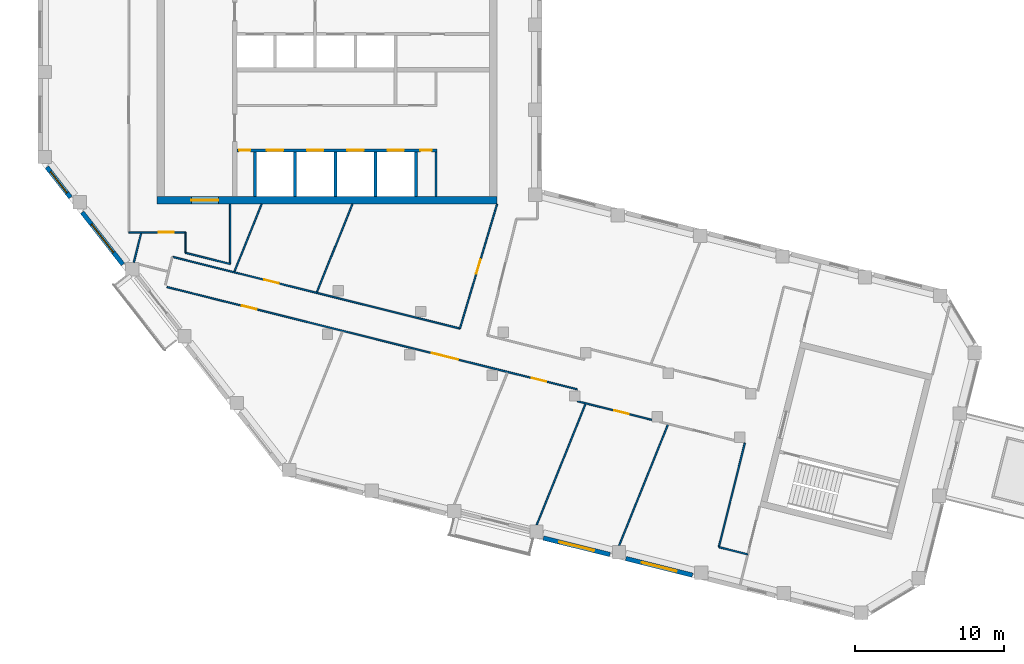
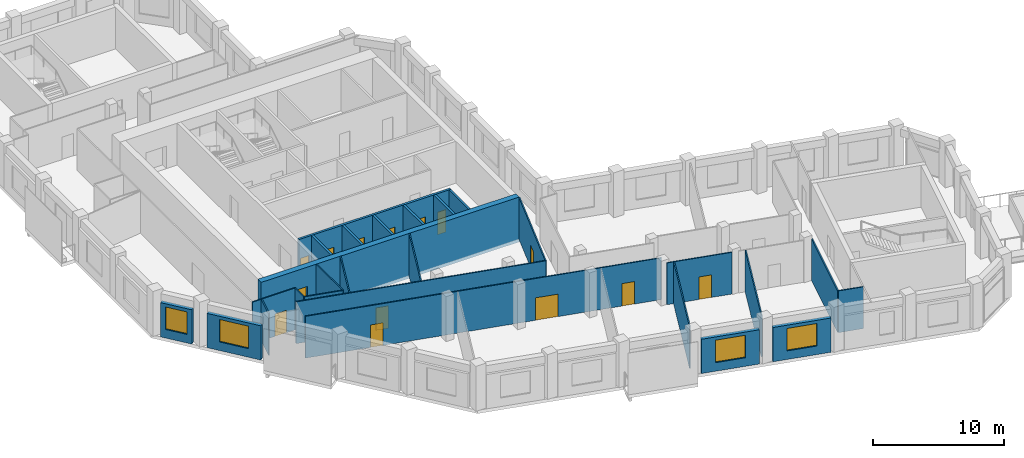
# One storey, part 7 of 13: 27 walls, 14 doors, 4 windows, 18 openings.
"""IFC4 building model written with IfcOpenShell, lengths in metres."""

from ifc_helpers import new_model, si_unit, direction, frame, frame_2d, origin, place, context, subcontext, project, spatial, rectangle, extrude, material, layer, layer_set, type_object, element, fill, save


model = new_model("IFC4")

# Units and contexts
model_context = context("Model", 3, precision=1e-05, world=origin(), true_north=direction((0.0, 1.0)))
body_context = subcontext(model_context, "Body", "Model", "MODEL_VIEW")
ifc_project = project(units=[si_unit("LENGTHUNIT", "METRE"), si_unit("AREAUNIT", "SQUARE_METRE"), si_unit("VOLUMEUNIT", "CUBIC_METRE"), si_unit("PLANEANGLEUNIT", "RADIAN"), si_unit("MASSUNIT", "GRAM", prefix="KILO")], contexts=[model_context])

# Site, building, storey
site_placement = place(None, origin())
site = spatial("IfcSite", under=ifc_project, at=site_placement, CompositionType="ELEMENT")
building_placement = place(site_placement, origin())
building = spatial("IfcBuilding", under=site, at=building_placement, Name="Meshkara Civic Tower", CompositionType="ELEMENT")
storey_placement = place(building_placement, frame((0.0, 0.0, 383.39990234375)))
storey = spatial("IfcBuildingStorey", under=building, at=storey_placement, Name="L88", CompositionType="ELEMENT", Elevation=383.39990234375)

# Wall
ifc_material_1 = material(Name="Blockwork", Category="masonry")
ifc_layer_1 = layer(ifc_material_1, 0.14990234375)
ifc_layer_set_1 = layer_set([ifc_layer_1], Name="Core partition 150")
wall_type_1 = type_object("IfcWallType", Name="Core partition 150", PredefinedType="PARTITIONING", material=ifc_layer_set_1)
wall_1_placement = place(storey_placement, frame((26.699951171875, 14.60009765625, 0.0), z_axis=(0.0, 0.0, 1.0), x_axis=(0.0, 1.0, 0.0)))
element("IfcWall", 1, at=wall_1_placement, inside=storey, type_object=wall_type_1, Name="L88-C024", PredefinedType="PARTITIONING", context=body_context, shape_type="SweptSolid", body=[
    extrude(rectangle(XDim=3.0, YDim=0.14990234375, at=frame_2d((1.5, 0.0))), origin(), (0.0, 0.0, 1.0), 3.900146484375),
])

# Wall, opening, door
ifc_material_2 = material(Name="Concrete C50", Category="concrete")
ifc_layer_2 = layer(ifc_material_2, 0.5)
ifc_layer_set_2 = layer_set([ifc_layer_2], Name="Core ring wall 500 C50")
wall_type_2 = type_object("IfcWallType", Name="Core ring wall 500 C50", PredefinedType="SHEAR", material=ifc_layer_set_2)
wall_2_placement = place(storey_placement, frame((8.0, 14.35009765625, -0.2998046875), z_axis=(0.0, 0.0, 1.0), x_axis=(1.0, 0.0, 0.0)))
wall_2 = element("IfcWall", 2, at=wall_2_placement, inside=storey, type_object=wall_type_2, Name="L88-C001", PredefinedType="SHEAR", context=body_context, shape_type="SweptSolid", body=[
    extrude(rectangle(XDim=22.800048828125, YDim=0.5, at=frame_2d((11.39990234375, 0.0))), origin(), (0.0, 0.0, 1.0), 4.199951171875),
])
opening_1_placement = place(wall_2_placement, frame((2.300048828125, 0.0, 0.300048828125)))
opening_1 = element("IfcOpeningElement", 3, at=opening_1_placement, cuts=wall_2, Name="Opening L88-K023", PredefinedType="OPENING", context=body_context, shape_type="SweptSolid", body=[
    extrude(rectangle(XDim=1.800048828125, YDim=2.10009765625, at=frame_2d((0.89990234375, 1.050048828125))), frame((0.0, 0.260009765625, 0.0), z_axis=(0.0, -1.0, 0.0), x_axis=(1.0, 0.0, 0.0)), (0.0, 0.0, 1.0), 0.52001953125),
])
ifc_material_3 = material(Name="Fire-rated door leaf in steel frame", Category="steel")
door_type_1 = type_object("IfcDoorType", Name="Core double door 1800 EI 60", OperationType="DOUBLE_DOOR_SINGLE_SWING", PredefinedType="DOOR", material=ifc_material_3)
door_1_placement = place(opening_1_placement, origin())
door_1 = element("IfcDoor", 4, at=door_1_placement, inside=storey, type_object=door_type_1, Name="L88-K023", OperationType="DOUBLE_DOOR_SINGLE_SWING", OverallHeight=2.10009765625, OverallWidth=1.800048828125, PredefinedType="DOOR", context=body_context, shape_type="SweptSolid", body=[
    extrude(rectangle(XDim=1.800048828125, YDim=2.10009765625, at=frame_2d((0.89990234375, 1.050048828125))), frame((0.0, 0.02490234375, 0.0), z_axis=(0.0, -1.0, 0.0), x_axis=(1.0, 0.0, 0.0)), (0.0, 0.0, 1.0), 0.050048828125),
])
fill(opening_1, door_1)

ifc_material_4 = material(Name="Corridor wall 100")
ifc_layer_3 = layer(ifc_material_4, 0.10009765625)
ifc_layer_set_3 = layer_set([ifc_layer_3], Name="Corridor wall 100")
wall_type_3 = type_object("IfcWallType", Name="Corridor wall 100", PredefinedType="PARTITIONING", material=ifc_layer_set_3)
wall_3_placement = place(storey_placement, frame((6.10009765625, 12.199951171875, 0.0), z_axis=(0.0, 0.0, 1.0), x_axis=(1.0, 0.0, 0.0)))
wall_3 = element("IfcWall", 5, at=wall_3_placement, inside=storey, type_object=wall_type_3, Name="L88-W004", PredefinedType="PARTITIONING", context=body_context, shape_type="SweptSolid", body=[
    extrude(rectangle(XDim=3.7998046875, YDim=0.10009765625, at=frame_2d((1.89990234375, 0.0))), origin(), (0.0, 0.0, 1.0), 3.900146484375),
])
opening_2_placement = place(wall_3_placement, frame((2.001953125, 0.0, 0.0)))
opening_2 = element("IfcOpeningElement", 6, at=opening_2_placement, cuts=wall_3, Name="Opening L88-D012", PredefinedType="OPENING", context=body_context, shape_type="SweptSolid", body=[
    extrude(rectangle(XDim=1.0, YDim=2.10009765625, at=frame_2d((0.5, 1.050048828125))), frame((0.0, 0.06005859375, 0.0), z_axis=(0.0, -1.0, 0.0), x_axis=(1.0, 0.0, 0.0)), (0.0, 0.0, 1.0), 0.1201171875),
])
ifc_material_5 = material(Name="Door 1000 x 2100")
door_type_2 = type_object("IfcDoorType", Name="Door 1000 x 2100", OperationType="SINGLE_SWING_LEFT", PredefinedType="DOOR", material=ifc_material_5)
door_2_placement = place(opening_2_placement, origin())
door_2 = element("IfcDoor", 7, at=door_2_placement, inside=storey, type_object=door_type_2, Name="L88-D012", OperationType="SINGLE_SWING_LEFT", OverallHeight=2.10009765625, OverallWidth=1.0, PredefinedType="DOOR", context=body_context, shape_type="SweptSolid", body=[
    extrude(rectangle(XDim=1.0, YDim=2.10009765625, at=frame_2d((0.5, 1.050048828125))), frame((0.0, 0.02490234375, 0.0), z_axis=(0.0, -1.0, 0.0), x_axis=(1.0, 0.0, 0.0)), (0.0, 0.0, 1.0), 0.050048828125),
])
fill(opening_2, door_2)

# Wall, openings, doors
wall_4_placement = place(storey_placement, frame((8.659912109375, 8.531982421875, 0.0), z_axis=(0.0, 0.0, 1.0), x_axis=(0.970305360263, -0.241883252509, 0.0)))
wall_4 = element("IfcWall", 8, at=wall_4_placement, inside=storey, type_object=wall_type_3, Name="L88-W007", PredefinedType="PARTITIONING", context=body_context, shape_type="SweptSolid", body=[
    extrude(rectangle(XDim=28.356201171875, YDim=0.10009765625, at=frame_2d((14.17822265625, 0.0))), origin(), (0.0, 0.0, 1.0), 3.900146484375),
])
opening_3_placement = place(wall_4_placement, frame((18.321044921875, 0.0, 0.0)))
opening_3 = element("IfcOpeningElement", 9, at=opening_3_placement, cuts=wall_4, Name="Opening L88-D003", PredefinedType="OPENING", context=body_context, shape_type="SweptSolid", body=[
    extrude(rectangle(XDim=1.800048828125, YDim=2.10009765625, at=frame_2d((0.89990234375, 1.050048828125))), frame((0.0, 0.06005859375, 0.0), z_axis=(0.0, -1.0, 0.0), x_axis=(1.0, 0.0, 0.0)), (0.0, 0.0, 1.0), 0.1201171875),
])
opening_4_placement = place(wall_4_placement, frame((25.219970703125, 0.0, 0.0)))
opening_4 = element("IfcOpeningElement", 10, at=opening_4_placement, cuts=wall_4, Name="Opening L88-D004", PredefinedType="OPENING", context=body_context, shape_type="SweptSolid", body=[
    extrude(rectangle(XDim=1.0, YDim=2.10009765625, at=frame_2d((0.5, 1.050048828125))), frame((0.0, 0.06005859375, 0.0), z_axis=(0.0, -1.0, 0.0), x_axis=(1.0, 0.0, 0.0)), (0.0, 0.0, 1.0), 0.1201171875),
])
opening_5_placement = place(wall_4_placement, frame((5.179931640625, 0.0, 0.0)))
opening_5 = element("IfcOpeningElement", 11, at=opening_5_placement, cuts=wall_4, Name="Opening L88-D007", PredefinedType="OPENING", context=body_context, shape_type="SweptSolid", body=[
    extrude(rectangle(XDim=1.0, YDim=2.10009765625, at=frame_2d((0.5, 1.050048828125))), frame((0.0, 0.06005859375, 0.0), z_axis=(0.0, -1.0, 0.0), x_axis=(1.0, 0.0, 0.0)), (0.0, 0.0, 1.0), 0.1201171875),
])
door_3_placement = place(opening_4_placement, origin())
door_3 = element("IfcDoor", 12, at=door_3_placement, inside=storey, type_object=door_type_2, Name="L88-D004", OperationType="SINGLE_SWING_RIGHT", OverallHeight=2.10009765625, OverallWidth=1.0, PredefinedType="DOOR", context=body_context, shape_type="SweptSolid", body=[
    extrude(rectangle(XDim=1.0, YDim=2.10009765625, at=frame_2d((0.5, 1.050048828125))), frame((0.0, 0.02490234375, 0.0), z_axis=(0.0, -1.0, 0.0), x_axis=(1.0, 0.0, 0.0)), (0.0, 0.0, 1.0), 0.050048828125),
])
fill(opening_4, door_3)
door_4_placement = place(opening_5_placement, origin())
door_4 = element("IfcDoor", 13, at=door_4_placement, inside=storey, type_object=door_type_2, Name="L88-D007", OperationType="SINGLE_SWING_RIGHT", OverallHeight=2.10009765625, OverallWidth=1.0, PredefinedType="DOOR", context=body_context, shape_type="SweptSolid", body=[
    extrude(rectangle(XDim=1.0, YDim=2.10009765625, at=frame_2d((0.5, 1.050048828125))), frame((0.0, 0.02490234375, 0.0), z_axis=(0.0, -1.0, 0.0), x_axis=(1.0, 0.0, 0.0)), (0.0, 0.0, 1.0), 0.050048828125),
])
fill(opening_5, door_4)
ifc_material_6 = material(Name="Door pair 1800 x 2100")
door_type_3 = type_object("IfcDoorType", Name="Door pair 1800 x 2100", OperationType="SINGLE_SWING_LEFT", PredefinedType="DOOR", material=ifc_material_6)
door_5_placement = place(opening_3_placement, origin())
door_5 = element("IfcDoor", 14, at=door_5_placement, inside=storey, type_object=door_type_3, Name="L88-D003", OperationType="DOUBLE_DOOR_SINGLE_SWING", OverallHeight=2.10009765625, OverallWidth=1.800048828125, PredefinedType="DOOR", context=body_context, shape_type="SweptSolid", body=[
    extrude(rectangle(XDim=1.800048828125, YDim=2.10009765625, at=frame_2d((0.89990234375, 1.050048828125))), frame((0.0, 0.02490234375, 0.0), z_axis=(0.0, -1.0, 0.0), x_axis=(1.0, 0.0, 0.0)), (0.0, 0.0, 1.0), 0.050048828125),
])
fill(opening_3, door_5)

# Wall, opening, door
wall_5_placement = place(storey_placement, frame((9.01708984375, 10.55810546875, 0.0), z_axis=(0.0, 0.0, 1.0), x_axis=(0.970286089829, -0.241960542, 0.0)))
wall_5 = element("IfcWall", 15, at=wall_5_placement, inside=storey, type_object=wall_type_3, Name="L88-W008", PredefinedType="PARTITIONING", context=body_context, shape_type="SweptSolid", body=[
    extrude(rectangle(XDim=19.87939453125, YDim=0.10009765625, at=frame_2d((9.939697265625, 0.0))), origin(), (0.0, 0.0, 1.0), 3.900146484375),
])
opening_6_placement = place(wall_5_placement, frame((6.35107421875, 0.0, 0.0)))
opening_6 = element("IfcOpeningElement", 16, at=opening_6_placement, cuts=wall_5, Name="Opening L88-D008", PredefinedType="OPENING", context=body_context, shape_type="SweptSolid", body=[
    extrude(rectangle(XDim=1.0, YDim=2.10009765625, at=frame_2d((0.5, 1.050048828125))), frame((0.0, 0.06005859375, 0.0), z_axis=(0.0, -1.0, 0.0), x_axis=(1.0, 0.0, 0.0)), (0.0, 0.0, 1.0), 0.1201171875),
])
door_6_placement = place(opening_6_placement, origin())
door_6 = element("IfcDoor", 17, at=door_6_placement, inside=storey, type_object=door_type_2, Name="L88-D008", OperationType="SINGLE_SWING_LEFT", OverallHeight=2.10009765625, OverallWidth=1.0, PredefinedType="DOOR", context=body_context, shape_type="SweptSolid", body=[
    extrude(rectangle(XDim=1.0, YDim=2.10009765625, at=frame_2d((0.5, 1.050048828125))), frame((0.0, 0.02490234375, 0.0), z_axis=(0.0, -1.0, 0.0), x_axis=(1.0, 0.0, 0.0)), (0.0, 0.0, 1.0), 0.050048828125),
])
fill(opening_6, door_6)

# Walls
wall_6_placement = place(storey_placement, frame((9.89990234375, 10.825927734375, 0.0), z_axis=(0.0, 0.0, 1.0), x_axis=(0.970290953223, -0.241941038466, 0.0)))
element("IfcWall", 18, at=wall_6_placement, inside=storey, type_object=wall_type_3, Name="L88-W010", PredefinedType="PARTITIONING", context=body_context, shape_type="SweptSolid", body=[
    extrude(rectangle(XDim=3.091796875, YDim=0.10009765625, at=frame_2d((1.5458984375, 0.0))), origin(), (0.0, 0.0, 1.0), 3.900146484375),
])
wall_7_placement = place(storey_placement, frame((9.89990234375, 12.199951171875, 0.0), z_axis=(0.0, 0.0, 1.0), x_axis=(0.0, -1.0, 0.0)))
element("IfcWall", 19, at=wall_7_placement, inside=storey, type_object=wall_type_3, Name="L88-W011", PredefinedType="PARTITIONING", context=body_context, shape_type="SweptSolid", body=[
    extrude(rectangle(XDim=1.3740234375, YDim=0.10009765625, at=frame_2d((0.68701171875, 0.0))), origin(), (0.0, 0.0, 1.0), 3.900146484375),
])
wall_8_placement = place(storey_placement, frame((12.89990234375, 10.077880859375, 0.0), z_axis=(0.0, 0.0, 1.0), x_axis=(0.0, 1.0, 0.0)))
element("IfcWall", 20, at=wall_8_placement, inside=storey, type_object=wall_type_3, Name="L88-W016", PredefinedType="PARTITIONING", context=body_context, shape_type="SweptSolid", body=[
    extrude(rectangle(XDim=4.022216796875, YDim=0.10009765625, at=frame_2d((2.01123046875, 0.0))), origin(), (0.0, 0.0, 1.0), 3.900146484375),
])

# Wall, opening, door
wall_9_placement = place(storey_placement, frame((30.800048828125, 14.10009765625, 0.0), z_axis=(0.0, 0.0, 1.0), x_axis=(-0.286139929679, -0.958187842045, 0.0)))
wall_9 = element("IfcWall", 21, at=wall_9_placement, inside=storey, type_object=wall_type_3, Name="L88-W020", PredefinedType="PARTITIONING", context=body_context, shape_type="SweptSolid", body=[
    extrude(rectangle(XDim=8.716552734375, YDim=0.10009765625, at=frame_2d((4.3583984375, 0.0))), origin(), (0.0, 0.0, 1.0), 3.900146484375),
])
opening_7_placement = place(wall_9_placement, frame((3.8798828125, 0.0, 0.0)))
opening_7 = element("IfcOpeningElement", 22, at=opening_7_placement, cuts=wall_9, Name="Opening L88-D009", PredefinedType="OPENING", context=body_context, shape_type="SweptSolid", body=[
    extrude(rectangle(XDim=1.0, YDim=2.10009765625, at=frame_2d((0.5, 1.050048828125))), frame((0.0, 0.06005859375, 0.0), z_axis=(0.0, -1.0, 0.0), x_axis=(1.0, 0.0, 0.0)), (0.0, 0.0, 1.0), 0.1201171875),
])
door_7_placement = place(opening_7_placement, origin())
door_7 = element("IfcDoor", 23, at=door_7_placement, inside=storey, type_object=door_type_2, Name="L88-D009", OperationType="SINGLE_SWING_LEFT", OverallHeight=2.10009765625, OverallWidth=1.0, PredefinedType="DOOR", context=body_context, shape_type="SweptSolid", body=[
    extrude(rectangle(XDim=1.0, YDim=2.10009765625, at=frame_2d((0.5, 1.050048828125))), frame((0.0, 0.02490234375, 0.0), z_axis=(0.0, -1.0, 0.0), x_axis=(1.0, 0.0, 0.0)), (0.0, 0.0, 1.0), 0.050048828125),
])
fill(opening_7, door_7)

wall_10_placement = place(storey_placement, frame((36.178955078125, 0.873046875, 0.0), z_axis=(0.0, 0.0, 1.0), x_axis=(0.970292295429, -0.241935655561, 0.0)))
wall_10 = element("IfcWall", 24, at=wall_10_placement, inside=storey, type_object=wall_type_3, Name="L88-W024", PredefinedType="PARTITIONING", context=body_context, shape_type="SweptSolid", body=[
    extrude(rectangle(XDim=5.170654296875, YDim=0.10009765625, at=frame_2d((2.58544921875, 0.0))), origin(), (0.0, 0.0, 1.0), 3.900146484375),
])
opening_8_placement = place(wall_10_placement, frame((2.55810546875, 0.0, 0.0)))
opening_8 = element("IfcOpeningElement", 25, at=opening_8_placement, cuts=wall_10, Name="Opening L88-D005", PredefinedType="OPENING", context=body_context, shape_type="SweptSolid", body=[
    extrude(rectangle(XDim=1.0, YDim=2.10009765625, at=frame_2d((0.5, 1.050048828125))), frame((0.0, 0.06005859375, 0.0), z_axis=(0.0, -1.0, 0.0), x_axis=(1.0, 0.0, 0.0)), (0.0, 0.0, 1.0), 0.1201171875),
])
door_8_placement = place(opening_8_placement, origin())
door_8 = element("IfcDoor", 26, at=door_8_placement, inside=storey, type_object=door_type_2, Name="L88-D005", OperationType="SINGLE_SWING_LEFT", OverallHeight=2.10009765625, OverallWidth=1.0, PredefinedType="DOOR", context=body_context, shape_type="SweptSolid", body=[
    extrude(rectangle(XDim=1.0, YDim=2.10009765625, at=frame_2d((0.5, 1.050048828125))), frame((0.0, 0.02490234375, 0.0), z_axis=(0.0, -1.0, 0.0), x_axis=(1.0, 0.0, 0.0)), (0.0, 0.0, 1.0), 0.050048828125),
])
fill(opening_8, door_8)

# Walls
wall_11_placement = place(storey_placement, frame((45.669921875, -8.9130859375, 0.0), z_axis=(0.0, 0.0, 1.0), x_axis=(0.970307382734, -0.241875139301, 0.0)))
element("IfcWall", 27, at=wall_11_placement, inside=storey, type_object=wall_type_3, Name="L88-W028", PredefinedType="PARTITIONING", context=body_context, shape_type="SweptSolid", body=[
    extrude(rectangle(XDim=2.00048828125, YDim=0.10009765625, at=frame_2d((1.000244140625, 0.0))), origin(), (0.0, 0.0, 1.0), 3.900146484375),
])
wall_12_placement = place(storey_placement, frame((47.412109375, -1.927001953125, 0.0), z_axis=(0.0, 0.0, 1.0), x_axis=(-0.241969116819, -0.970283951483, 0.0)))
element("IfcWall", 28, at=wall_12_placement, inside=storey, type_object=wall_type_3, Name="L88-W029", PredefinedType="PARTITIONING", context=body_context, shape_type="SweptSolid", body=[
    extrude(rectangle(XDim=7.199951171875, YDim=0.10009765625, at=frame_2d((3.60009765625, 0.0))), origin(), (0.0, 0.0, 1.0), 3.900146484375),
])

# Wall, opening, window
ifc_material_7 = material(Name="Insulated infill panel with bronze anodised aluminium cladding", Category="aluminium")
ifc_layer_4 = layer(ifc_material_7, 0.300048828125)
ifc_layer_set_4 = layer_set([ifc_layer_4], Name="EXTERNAL INFILL WALL 300")
wall_type_4 = type_object("IfcWallType", Name="EXTERNAL INFILL WALL 300", PredefinedType="SOLIDWALL", material=ifc_layer_set_4)
wall_13_placement = place(storey_placement, frame((0.60205078125, 16.572998046875, 0.0), z_axis=(0.0, 0.0, 1.0), x_axis=(0.61568999437, -0.787988471256, 0.0)))
wall_13 = element("IfcWall", 29, at=wall_13_placement, inside=storey, type_object=wall_type_4, Name="External wall", PredefinedType="SOLIDWALL", context=body_context, shape_type="SweptSolid", body=[
    extrude(rectangle(XDim=2.577392578125, YDim=0.300048828125, at=frame_2d((1.28857421875, 0.0))), origin(), (0.0, 0.0, 1.0), 3.2001953125),
])
opening_9_placement = place(wall_13_placement, frame((0.387939453125, 0.0, 0.800048828125)))
opening_9 = element("IfcOpeningElement", 30, at=opening_9_placement, cuts=wall_13, Name="Opening W9", PredefinedType="OPENING", context=body_context, shape_type="SweptSolid", body=[
    extrude(rectangle(XDim=1.800048828125, YDim=2.10009765625, at=frame_2d((0.89990234375, 1.050048828125))), frame((0.0, 0.159912109375, 0.0), z_axis=(0.0, -1.0, 0.0), x_axis=(1.0, 0.0, 0.0)), (0.0, 0.0, 1.0), 0.320068359375),
])
ifc_material_8 = material(Name="Tinted double glazing", Category="glass")
window_type_1 = type_object("IfcWindowType", Name="WINDOW 1800x2100", PartitioningType="DOUBLE_PANEL_VERTICAL", PredefinedType="WINDOW", material=ifc_material_8)
window_1_placement = place(opening_9_placement, origin())
window_1 = element("IfcWindow", 31, at=window_1_placement, inside=storey, type_object=window_type_1, Name="Window", OverallHeight=2.10009765625, OverallWidth=1.800048828125, PartitioningType="DOUBLE_PANEL_VERTICAL", PredefinedType="WINDOW", context=body_context, shape_type="SweptSolid", body=[
    extrude(rectangle(XDim=1.800048828125, YDim=2.10009765625, at=frame_2d((0.89990234375, 1.050048828125))), frame((0.0, 0.030029296875, 0.0), z_axis=(0.0, -1.0, 0.0), x_axis=(1.0, 0.0, 0.0)), (0.0, 0.0, 1.0), 0.06005859375),
])
fill(opening_9, window_1)

wall_14_placement = place(storey_placement, frame((2.967041015625, 13.547119140625, 0.0), z_axis=(0.0, 0.0, 1.0), x_axis=(0.615486001463, -0.788147817356, 0.0)))
wall_14 = element("IfcWall", 32, at=wall_14_placement, inside=storey, type_object=wall_type_4, Name="External wall", PredefinedType="SOLIDWALL", context=body_context, shape_type="SweptSolid", body=[
    extrude(rectangle(XDim=4.43701171875, YDim=0.300048828125, at=frame_2d((2.218505859375, 0.0))), origin(), (0.0, 0.0, 1.0), 3.2001953125),
])
opening_10_placement = place(wall_14_placement, frame((1.01806640625, 0.0, 0.800048828125)))
opening_10 = element("IfcOpeningElement", 33, at=opening_10_placement, cuts=wall_14, Name="Opening W7", PredefinedType="OPENING", context=body_context, shape_type="SweptSolid", body=[
    extrude(rectangle(XDim=2.39990234375, YDim=2.10009765625, at=frame_2d((1.199951171875, 1.050048828125))), frame((0.0, 0.159912109375, 0.0), z_axis=(0.0, -1.0, 0.0), x_axis=(1.0, 0.0, 0.0)), (0.0, 0.0, 1.0), 0.320068359375),
])
ifc_material_9 = material(Name="Tinted double glazing", Category="glass")
window_type_2 = type_object("IfcWindowType", Name="WINDOW 2400x2100", PartitioningType="DOUBLE_PANEL_VERTICAL", PredefinedType="WINDOW", material=ifc_material_9)
window_2_placement = place(opening_10_placement, origin())
window_2 = element("IfcWindow", 34, at=window_2_placement, inside=storey, type_object=window_type_2, Name="Window", OverallHeight=2.10009765625, OverallWidth=2.39990234375, PartitioningType="DOUBLE_PANEL_VERTICAL", PredefinedType="WINDOW", context=body_context, shape_type="SweptSolid", body=[
    extrude(rectangle(XDim=2.39990234375, YDim=2.10009765625, at=frame_2d((1.199951171875, 1.050048828125))), frame((0.0, 0.030029296875, 0.0), z_axis=(0.0, -1.0, 0.0), x_axis=(1.0, 0.0, 0.0)), (0.0, 0.0, 1.0), 0.06005859375),
])
fill(opening_10, window_2)

wall_15_placement = place(storey_placement, frame((33.89990234375, -8.298095703125, 0.0), z_axis=(0.0, 0.0, 1.0), x_axis=(0.970298093093, -0.241912402618, 0.0)))
wall_15 = element("IfcWall", 35, at=wall_15_placement, inside=storey, type_object=wall_type_4, Name="External wall", PredefinedType="SOLIDWALL", context=body_context, shape_type="SweptSolid", body=[
    extrude(rectangle(XDim=4.609130859375, YDim=0.300048828125, at=frame_2d((2.3046875, 0.0))), origin(), (0.0, 0.0, 1.0), 3.2001953125),
])
opening_11_placement = place(wall_15_placement, frame((1.10498046875, 0.0, 0.800048828125)))
opening_11 = element("IfcOpeningElement", 36, at=opening_11_placement, cuts=wall_15, Name="Opening W7", PredefinedType="OPENING", context=body_context, shape_type="SweptSolid", body=[
    extrude(rectangle(XDim=2.39990234375, YDim=2.10009765625, at=frame_2d((1.199951171875, 1.050048828125))), frame((0.0, 0.159912109375, 0.0), z_axis=(0.0, -1.0, 0.0), x_axis=(1.0, 0.0, 0.0)), (0.0, 0.0, 1.0), 0.320068359375),
])
window_3_placement = place(opening_11_placement, origin())
window_3 = element("IfcWindow", 37, at=window_3_placement, inside=storey, type_object=window_type_2, Name="Window", OverallHeight=2.10009765625, OverallWidth=2.39990234375, PartitioningType="DOUBLE_PANEL_VERTICAL", PredefinedType="WINDOW", context=body_context, shape_type="SweptSolid", body=[
    extrude(rectangle(XDim=2.39990234375, YDim=2.10009765625, at=frame_2d((1.199951171875, 1.050048828125))), frame((0.0, 0.030029296875, 0.0), z_axis=(0.0, -1.0, 0.0), x_axis=(1.0, 0.0, 0.0)), (0.0, 0.0, 1.0), 0.06005859375),
])
fill(opening_11, window_3)

wall_16_placement = place(storey_placement, frame((39.430908203125, -9.677001953125, 0.0), z_axis=(0.0, 0.0, 1.0), x_axis=(0.970285689791, -0.241962146187, 0.0)))
wall_16 = element("IfcWall", 38, at=wall_16_placement, inside=storey, type_object=wall_type_4, Name="External wall", PredefinedType="SOLIDWALL", context=body_context, shape_type="SweptSolid", body=[
    extrude(rectangle(XDim=4.608154296875, YDim=0.300048828125, at=frame_2d((2.30419921875, 0.0))), origin(), (0.0, 0.0, 1.0), 3.2001953125),
])
opening_12_placement = place(wall_16_placement, frame((1.10400390625, 0.0, 0.800048828125)))
opening_12 = element("IfcOpeningElement", 39, at=opening_12_placement, cuts=wall_16, Name="Opening W7", PredefinedType="OPENING", context=body_context, shape_type="SweptSolid", body=[
    extrude(rectangle(XDim=2.39990234375, YDim=2.10009765625, at=frame_2d((1.199951171875, 1.050048828125))), frame((0.0, 0.159912109375, 0.0), z_axis=(0.0, -1.0, 0.0), x_axis=(1.0, 0.0, 0.0)), (0.0, 0.0, 1.0), 0.320068359375),
])
window_4_placement = place(opening_12_placement, origin())
window_4 = element("IfcWindow", 40, at=window_4_placement, inside=storey, type_object=window_type_2, Name="Window", OverallHeight=2.10009765625, OverallWidth=2.39990234375, PartitioningType="DOUBLE_PANEL_VERTICAL", PredefinedType="WINDOW", context=body_context, shape_type="SweptSolid", body=[
    extrude(rectangle(XDim=2.39990234375, YDim=2.10009765625, at=frame_2d((1.199951171875, 1.050048828125))), frame((0.0, 0.030029296875, 0.0), z_axis=(0.0, -1.0, 0.0), x_axis=(1.0, 0.0, 0.0)), (0.0, 0.0, 1.0), 0.06005859375),
])
fill(opening_12, window_4)

# Walls
ifc_material_10 = material(Name="Partition 100")
ifc_layer_5 = layer(ifc_material_10, 0.10009765625)
ifc_layer_set_5 = layer_set([ifc_layer_5], Name="Partition 100")
wall_type_5 = type_object("IfcWallType", Name="Partition 100", PredefinedType="PARTITIONING", material=ifc_layer_set_5)
wall_17_placement = place(storey_placement, frame((6.922119140625, 12.137939453125, 0.0), z_axis=(0.0, 0.0, 1.0), x_axis=(-0.24222136375, -0.97022101139, 0.0)))
element("IfcWall", 41, at=wall_17_placement, inside=storey, type_object=wall_type_5, Name="L88-W041", PredefinedType="PARTITIONING", context=body_context, shape_type="SweptSolid", body=[
    extrude(rectangle(XDim=2.0107421875, YDim=0.10009765625, at=frame_2d((1.00537109375, 0.0))), origin(), (0.0, 0.0, 1.0), 3.900146484375),
])
wall_18_placement = place(storey_placement, frame((13.18310546875, 9.577880859375, 0.0), z_axis=(0.0, 0.0, 1.0), x_axis=(0.374400970809, 0.927266904973, 0.0)))
element("IfcWall", 42, at=wall_18_placement, inside=storey, type_object=wall_type_5, Name="L88-W043", PredefinedType="PARTITIONING", context=body_context, shape_type="SweptSolid", body=[
    extrude(rectangle(XDim=4.876953125, YDim=0.10009765625, at=frame_2d((2.4384765625, 0.0))), origin(), (0.0, 0.0, 1.0), 3.900146484375),
])
wall_19_placement = place(storey_placement, frame((18.714111328125, 8.198974609375, 0.0), z_axis=(0.0, 0.0, 1.0), x_axis=(0.374418014388, 0.927260023133, 0.0)))
element("IfcWall", 43, at=wall_19_placement, inside=storey, type_object=wall_type_5, Name="L88-W045", PredefinedType="PARTITIONING", context=body_context, shape_type="SweptSolid", body=[
    extrude(rectangle(XDim=6.364013671875, YDim=0.10009765625, at=frame_2d((3.18212890625, 0.0))), origin(), (0.0, 0.0, 1.0), 3.900146484375),
])
for number, where, z_axis, x_axis, name in (
    (44, (33.452880859375, -7.425048828125, 0.0), (0.0, 0.0, 1.0), (0.374543419774, 0.927209375871, 0.0), "L88-W047"),
    (45, (38.98388671875, -8.803955078125, 0.0), (0.0, 0.0, 1.0), (0.374543419774, 0.927209375871, 0.0), "L88-W048"),
):
    element("IfcWall", number, at=place(storey_placement, frame(where, z_axis=z_axis, x_axis=x_axis)), inside=storey, type_object=wall_type_5, Name=name, PredefinedType="PARTITIONING", context=body_context, shape_type="SweptSolid", body=[
        extrude(rectangle(XDim=8.7392578125, YDim=0.10009765625, at=frame_2d((4.36962890625, 0.0))), origin(), (0.0, 0.0, 1.0), 3.900146484375),
    ])

# Wall, openings, doors
ifc_material_11 = material(Name="Concrete C40/50", Category="concrete")
ifc_layer_6 = layer(ifc_material_11, 0.199951171875)
ifc_layer_set_6 = layer_set([ifc_layer_6], Name="Shaft wall 200 C40/50")
wall_type_6 = type_object("IfcWallType", Name="Shaft wall 200 C40/50", PredefinedType="SOLIDWALL", material=ifc_layer_set_6)
wall_20_placement = place(storey_placement, frame((13.35009765625, 17.699951171875, 0.0), z_axis=(0.0, 0.0, 1.0), x_axis=(1.0, 0.0, 0.0)))
wall_20 = element("IfcWall", 46, at=wall_20_placement, inside=storey, type_object=wall_type_6, Name="L88-C005", PredefinedType="SOLIDWALL", context=body_context, shape_type="SweptSolid", body=[
    extrude(rectangle(XDim=13.4248046875, YDim=0.199951171875, at=frame_2d((6.71240234375, 0.0))), origin(), (0.0, 0.0, 1.0), 3.900146484375),
])
opening_13_placement = place(wall_20_placement, frame((2.0, 0.0, 0.0)))
opening_13 = element("IfcOpeningElement", 47, at=opening_13_placement, cuts=wall_20, Name="Opening L88-K001", PredefinedType="OPENING", context=body_context, shape_type="SweptSolid", body=[
    extrude(rectangle(XDim=1.10009765625, YDim=2.10009765625, at=frame_2d((0.550048828125, 1.050048828125))), frame((0.0, 0.10986328125, 0.0), z_axis=(0.0, -1.0, 0.0), x_axis=(1.0, 0.0, 0.0)), (0.0, 0.0, 1.0), 0.219970703125),
])
opening_14_placement = place(wall_20_placement, frame((4.699951171875, 0.0, 0.0)))
opening_14 = element("IfcOpeningElement", 48, at=opening_14_placement, cuts=wall_20, Name="Opening L88-K002", PredefinedType="OPENING", context=body_context, shape_type="SweptSolid", body=[
    extrude(rectangle(XDim=1.10009765625, YDim=2.10009765625, at=frame_2d((0.550048828125, 1.050048828125))), frame((0.0, 0.10986328125, 0.0), z_axis=(0.0, -1.0, 0.0), x_axis=(1.0, 0.0, 0.0)), (0.0, 0.0, 1.0), 0.219970703125),
])
opening_15_placement = place(wall_20_placement, frame((7.39990234375, 0.0, 0.0)))
opening_15 = element("IfcOpeningElement", 49, at=opening_15_placement, cuts=wall_20, Name="Opening L88-K003", PredefinedType="OPENING", context=body_context, shape_type="SweptSolid", body=[
    extrude(rectangle(XDim=1.10009765625, YDim=2.10009765625, at=frame_2d((0.550048828125, 1.050048828125))), frame((0.0, 0.10986328125, 0.0), z_axis=(0.0, -1.0, 0.0), x_axis=(1.0, 0.0, 0.0)), (0.0, 0.0, 1.0), 0.219970703125),
])
opening_16_placement = place(wall_20_placement, frame((10.10009765625, 0.0, 0.0)))
opening_16 = element("IfcOpeningElement", 50, at=opening_16_placement, cuts=wall_20, Name="Opening L88-K004", PredefinedType="OPENING", context=body_context, shape_type="SweptSolid", body=[
    extrude(rectangle(XDim=1.10009765625, YDim=2.10009765625, at=frame_2d((0.550048828125, 1.050048828125))), frame((0.0, 0.10986328125, 0.0), z_axis=(0.0, -1.0, 0.0), x_axis=(1.0, 0.0, 0.0)), (0.0, 0.0, 1.0), 0.219970703125),
])
opening_17_placement = place(wall_20_placement, frame((0.14990234375, 0.0, 0.0)))
opening_17 = element("IfcOpeningElement", 51, at=opening_17_placement, cuts=wall_20, Name="Opening L88-K009", PredefinedType="OPENING", context=body_context, shape_type="SweptSolid", body=[
    extrude(rectangle(XDim=0.75, YDim=2.10009765625, at=frame_2d((0.375, 1.050048828125))), frame((0.0, 0.10986328125, 0.0), z_axis=(0.0, -1.0, 0.0), x_axis=(1.0, 0.0, 0.0)), (0.0, 0.0, 1.0), 0.219970703125),
])
opening_18_placement = place(wall_20_placement, frame((12.300048828125, 0.0, 0.0)))
opening_18 = element("IfcOpeningElement", 52, at=opening_18_placement, cuts=wall_20, Name="Opening L88-K010", PredefinedType="OPENING", context=body_context, shape_type="SweptSolid", body=[
    extrude(rectangle(XDim=0.75, YDim=2.10009765625, at=frame_2d((0.375, 1.050048828125))), frame((0.0, 0.10986328125, 0.0), z_axis=(0.0, -1.0, 0.0), x_axis=(1.0, 0.0, 0.0)), (0.0, 0.0, 1.0), 0.219970703125),
])
ifc_material_12 = material(Name="Timber door leaf in steel frame", Category="steel")
door_type_4 = type_object("IfcDoorType", Name="Core room door 750", OperationType="SINGLE_SWING_LEFT", PredefinedType="DOOR", material=ifc_material_12)
door_9_placement = place(opening_17_placement, origin())
door_9 = element("IfcDoor", 53, at=door_9_placement, inside=storey, type_object=door_type_4, Name="L88-K009", OperationType="SINGLE_SWING_RIGHT", OverallHeight=2.10009765625, OverallWidth=0.75, PredefinedType="DOOR", context=body_context, shape_type="SweptSolid", body=[
    extrude(rectangle(XDim=0.75, YDim=2.10009765625, at=frame_2d((0.375, 1.050048828125))), frame((0.0, 0.02490234375, 0.0), z_axis=(0.0, -1.0, 0.0), x_axis=(1.0, 0.0, 0.0)), (0.0, 0.0, 1.0), 0.050048828125),
])
fill(opening_17, door_9)
door_10_placement = place(opening_18_placement, origin())
door_10 = element("IfcDoor", 54, at=door_10_placement, inside=storey, type_object=door_type_4, Name="L88-K010", OperationType="SINGLE_SWING_RIGHT", OverallHeight=2.10009765625, OverallWidth=0.75, PredefinedType="DOOR", context=body_context, shape_type="SweptSolid", body=[
    extrude(rectangle(XDim=0.75, YDim=2.10009765625, at=frame_2d((0.375, 1.050048828125))), frame((0.0, 0.02490234375, 0.0), z_axis=(0.0, -1.0, 0.0), x_axis=(1.0, 0.0, 0.0)), (0.0, 0.0, 1.0), 0.050048828125),
])
fill(opening_18, door_10)
ifc_material_13 = material(Name="Stainless steel landing door", Category="steel")
door_type_5 = type_object("IfcDoorType", Name="Lift landing door 1100", OperationType="SLIDING_TO_LEFT", PredefinedType="DOOR", material=ifc_material_13)
door_11_placement = place(opening_13_placement, origin())
door_11 = element("IfcDoor", 55, at=door_11_placement, inside=storey, type_object=door_type_5, Name="L88-K001", OperationType="SLIDING_TO_LEFT", OverallHeight=2.10009765625, OverallWidth=1.10009765625, PredefinedType="DOOR", context=body_context, shape_type="SweptSolid", body=[
    extrude(rectangle(XDim=1.10009765625, YDim=2.10009765625, at=frame_2d((0.550048828125, 1.050048828125))), frame((0.0, 0.02490234375, 0.0), z_axis=(0.0, -1.0, 0.0), x_axis=(1.0, 0.0, 0.0)), (0.0, 0.0, 1.0), 0.050048828125),
])
fill(opening_13, door_11)
door_12_placement = place(opening_14_placement, origin())
door_12 = element("IfcDoor", 56, at=door_12_placement, inside=storey, type_object=door_type_5, Name="L88-K002", OperationType="SLIDING_TO_LEFT", OverallHeight=2.10009765625, OverallWidth=1.10009765625, PredefinedType="DOOR", context=body_context, shape_type="SweptSolid", body=[
    extrude(rectangle(XDim=1.10009765625, YDim=2.10009765625, at=frame_2d((0.550048828125, 1.050048828125))), frame((0.0, 0.02490234375, 0.0), z_axis=(0.0, -1.0, 0.0), x_axis=(1.0, 0.0, 0.0)), (0.0, 0.0, 1.0), 0.050048828125),
])
fill(opening_14, door_12)
door_13_placement = place(opening_15_placement, origin())
door_13 = element("IfcDoor", 57, at=door_13_placement, inside=storey, type_object=door_type_5, Name="L88-K003", OperationType="SLIDING_TO_LEFT", OverallHeight=2.10009765625, OverallWidth=1.10009765625, PredefinedType="DOOR", context=body_context, shape_type="SweptSolid", body=[
    extrude(rectangle(XDim=1.10009765625, YDim=2.10009765625, at=frame_2d((0.550048828125, 1.050048828125))), frame((0.0, 0.02490234375, 0.0), z_axis=(0.0, -1.0, 0.0), x_axis=(1.0, 0.0, 0.0)), (0.0, 0.0, 1.0), 0.050048828125),
])
fill(opening_15, door_13)
door_14_placement = place(opening_16_placement, origin())
door_14 = element("IfcDoor", 58, at=door_14_placement, inside=storey, type_object=door_type_5, Name="L88-K004", OperationType="SLIDING_TO_LEFT", OverallHeight=2.10009765625, OverallWidth=1.10009765625, PredefinedType="DOOR", context=body_context, shape_type="SweptSolid", body=[
    extrude(rectangle(XDim=1.10009765625, YDim=2.10009765625, at=frame_2d((0.550048828125, 1.050048828125))), frame((0.0, 0.02490234375, 0.0), z_axis=(0.0, -1.0, 0.0), x_axis=(1.0, 0.0, 0.0)), (0.0, 0.0, 1.0), 0.050048828125),
])
fill(opening_16, door_14)

# Walls
for number, where, z_axis, x_axis, name in (
    (59, (14.550048828125, 14.60009765625, 0.0), (0.0, 0.0, 1.0), (0.0, 1.0, 0.0), "L88-C012"),
    (60, (17.25, 14.60009765625, 0.0), (0.0, 0.0, 1.0), (0.0, 1.0, 0.0), "L88-C015"),
    (61, (19.949951171875, 14.60009765625, 0.0), (0.0, 0.0, 1.0), (0.0, 1.0, 0.0), "L88-C017"),
    (62, (22.64990234375, 14.60009765625, 0.0), (0.0, 0.0, 1.0), (0.0, 1.0, 0.0), "L88-C021"),
    (63, (25.35009765625, 14.60009765625, 0.0), (0.0, 0.0, 1.0), (0.0, 1.0, 0.0), "L88-C023"),
):
    element("IfcWall", number, at=place(storey_placement, frame(where, z_axis=z_axis, x_axis=x_axis)), inside=storey, type_object=wall_type_6, Name=name, PredefinedType="SOLIDWALL", context=body_context, shape_type="SweptSolid", body=[
        extrude(rectangle(XDim=3.0, YDim=0.199951171875, at=frame_2d((1.5, 0.0))), origin(), (0.0, 0.0, 1.0), 3.900146484375),
    ])

save(model, "model.ifc")
